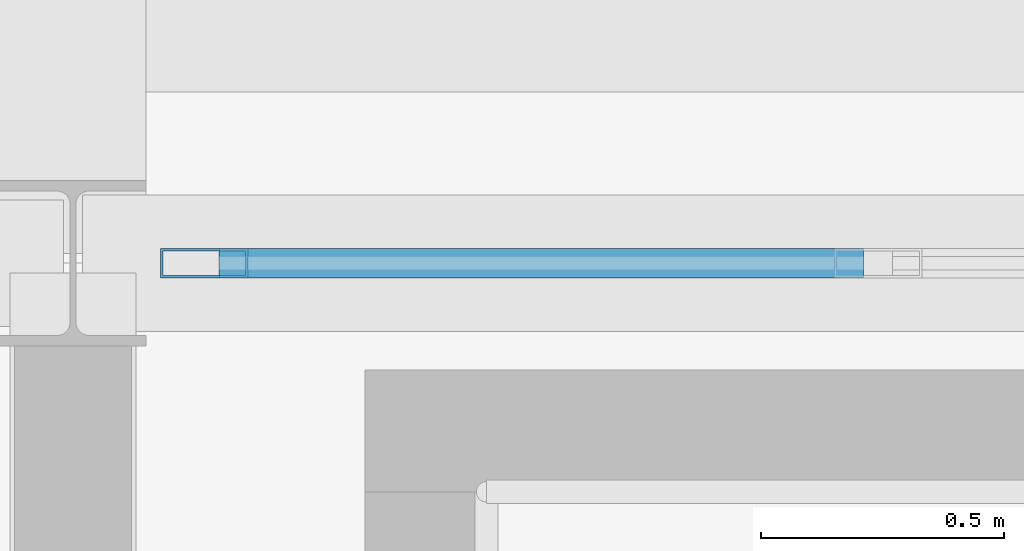
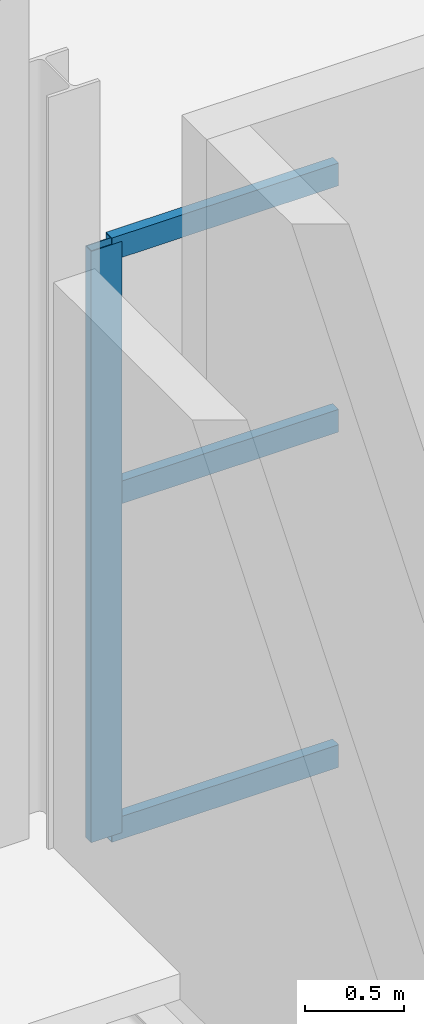
# One storey, part 25 of 196: 4 members, 1 element without a shape of its own.
"""IFC4 building model written with IfcOpenShell, lengths in metres."""

from ifc_helpers import new_model, si_unit, direction, frame, origin, origin_2d, place, context, subcontext, project, spatial, hollow_rectangle, extrude, material, layer, layer_set, material_profile, profile_set, type_object, element, aggregate, save


model = new_model("IFC4")

# Units and contexts
model_context = context("Model", 3, precision=1e-05, world=origin(), true_north=direction((0.0, 1.0)))
body_context = subcontext(model_context, "Body", "Model", "MODEL_VIEW")
ifc_project = project(units=[si_unit("LENGTHUNIT", "METRE"), si_unit("AREAUNIT", "SQUARE_METRE"), si_unit("VOLUMEUNIT", "CUBIC_METRE"), si_unit("PLANEANGLEUNIT", "RADIAN"), si_unit("MASSUNIT", "GRAM", prefix="KILO")], contexts=[model_context])

# Site, building, storey
site_placement = place(None, origin())
site = spatial("IfcSite", under=ifc_project, at=site_placement, CompositionType="ELEMENT")
building_placement = place(site_placement, origin())
building = spatial("IfcBuilding", under=site, at=building_placement, Name="Barlavento Convention Centre", CompositionType="ELEMENT")
storey_placement = place(building_placement, frame((0.0, 0.0, 18.0)))
storey = spatial("IfcBuildingStorey", under=building, at=storey_placement, Name="L03", CompositionType="ELEMENT", Elevation=18.0)

# Curtain wall, members
ifc_material_1 = material(Name="Powder-coated aluminium and Low-E glass", Category="aluminium")
ifc_layer = layer(ifc_material_1, 0.179931640625)
ifc_layer_set = layer_set([ifc_layer], Name="ARC-CW-CONF-L03")
curtain_wall_type = type_object("IfcCurtainWallType", Name="ARC-CW-CONF-L03", PredefinedType="NOTDEFINED", material=ifc_layer_set)
curtain_wall_placement = place(storey_placement, origin())
curtain_wall = element("IfcCurtainWall", 1, at=curtain_wall_placement, inside=storey, type_object=curtain_wall_type, Name="L03 unitised curtain wall CW08", PredefinedType="NOTDEFINED")
ifc_material_2 = material(Name="Powder-coated aluminium", Category="aluminium")
ifc_material_profile_1 = material_profile(ifc_material_2, hollow_rectangle(XDim=0.06005859375, YDim=0.179931640625, WallThickness=0.0048828125, at=origin_2d()), Name="AL-MULL 60x180x5")
ifc_profile_set_1 = profile_set([ifc_material_profile_1], Name="Powder-coated aluminium")
member_type_1 = type_object("IfcMemberType", Name="ARC-CWM-60X180", PredefinedType="MULLION", material=ifc_profile_set_1)
member_1_placement = place(storey_placement, frame((63.27001953125, 54.0, 0.0), z_axis=(0.0, 0.0, 1.0), x_axis=(0.0, 1.0, 0.0)))
member_1 = element("IfcMember", 2, at=member_1_placement, type_object=member_type_1, Name="CW08 mullion 1", PredefinedType="MULLION", context=body_context, shape_type="SweptSolid", body=[
    extrude(hollow_rectangle(XDim=0.06005859375, YDim=0.179931640625, WallThickness=0.0048828125, at=origin_2d()), origin(), (0.0, 0.0, 1.0), 3.64990234375),
])
ifc_material_profile_2 = material_profile(ifc_material_2, hollow_rectangle(XDim=0.06005859375, YDim=0.139892578125, WallThickness=0.00390625, at=origin_2d()), Name="AL-TRAN 60x140x4")
ifc_profile_set_2 = profile_set([ifc_material_profile_2], Name="Powder-coated aluminium")
member_type_2 = type_object("IfcMemberType", Name="ARC-CWT-60X140", PredefinedType="USERDEFINED", material=ifc_profile_set_2)
member_2_placement = place(storey_placement, frame((63.300048828125, 54.0, 0.030029296875), z_axis=(1.0, 0.0, 0.0), x_axis=(0.0, 1.0, 0.0)))
member_2 = element("IfcMember", 3, at=member_2_placement, type_object=member_type_2, Name="CW08 transom 1.1", ObjectType="TRANSOM", PredefinedType="USERDEFINED", context=body_context, shape_type="SweptSolid", body=[
    extrude(hollow_rectangle(XDim=0.06005859375, YDim=0.139892578125, WallThickness=0.00390625, at=origin_2d()), origin(), (0.0, 0.0, 1.0), 1.324951171875),
])
member_3_placement = place(storey_placement, frame((63.300048828125, 54.0, 2.10009765625), z_axis=(1.0, 0.0, 0.0), x_axis=(0.0, 1.0, 0.0)))
member_3 = element("IfcMember", 4, at=member_3_placement, type_object=member_type_2, Name="CW08 transom 1.2", ObjectType="TRANSOM", PredefinedType="USERDEFINED", context=body_context, shape_type="SweptSolid", body=[
    extrude(hollow_rectangle(XDim=0.06005859375, YDim=0.139892578125, WallThickness=0.00390625, at=origin_2d()), origin(), (0.0, 0.0, 1.0), 1.324951171875),
])
member_4_placement = place(storey_placement, frame((63.300048828125, 54.0, 3.6201171875), z_axis=(1.0, 0.0, 0.0), x_axis=(0.0, 1.0, 0.0)))
member_4 = element("IfcMember", 5, at=member_4_placement, type_object=member_type_2, Name="CW08 transom 1.3", ObjectType="TRANSOM", PredefinedType="USERDEFINED", context=body_context, shape_type="SweptSolid", body=[
    extrude(hollow_rectangle(XDim=0.06005859375, YDim=0.139892578125, WallThickness=0.00390625, at=origin_2d()), origin(), (0.0, 0.0, 1.0), 1.324951171875),
])
aggregate(curtain_wall, [member_1, member_2, member_3, member_4])

save(model, "model.ifc")
